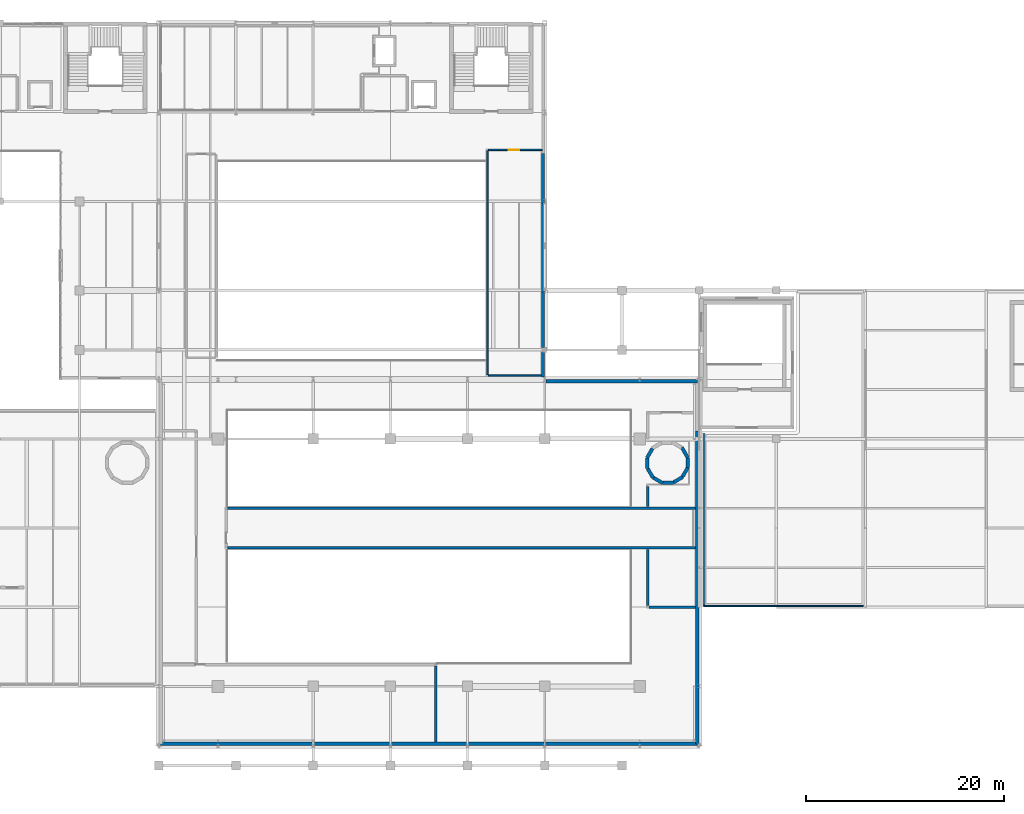
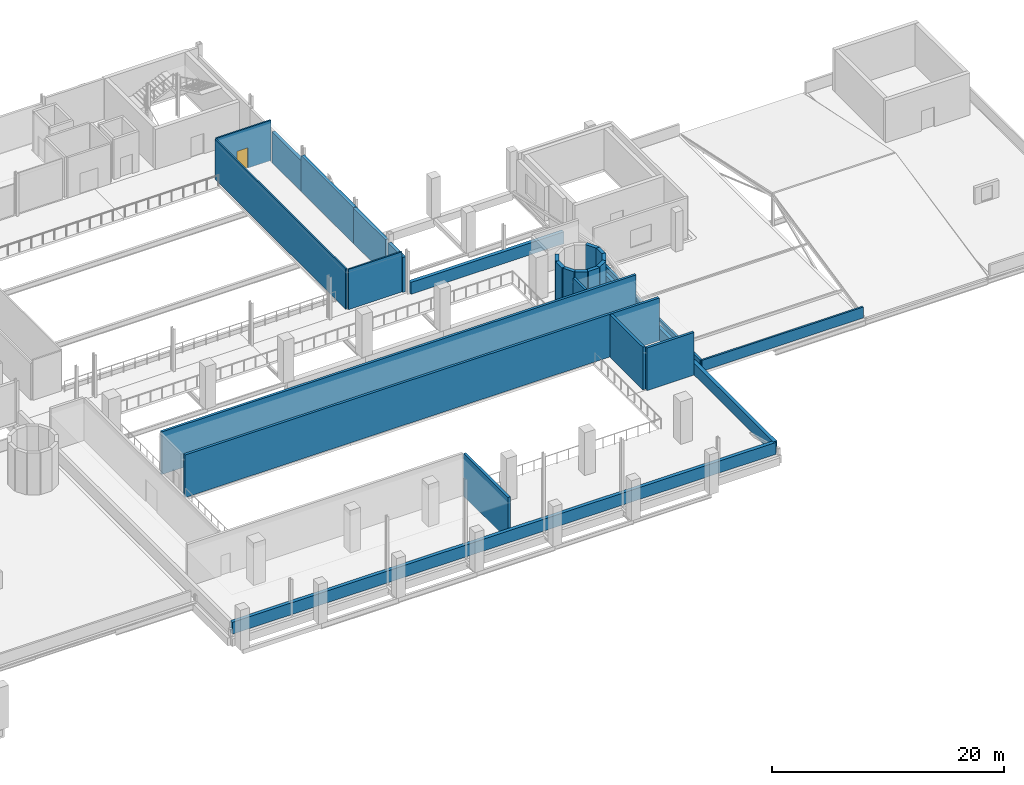
# One storey, part 76 of 85: 27 walls, 1 door, 1 opening.
"""IFC4 building model written with IfcOpenShell, lengths in metres."""

import ifcopenshell
import ifcopenshell.guid

model = None  # the IFC model being written
_history = None  # IfcOwnerHistory: only IFC2X3 demands one
_inside = {}  # id of a spatial element -> (the spatial element, [elements in it])
_under = {}  # id of a project, library or spatial element -> (it, [spatial elements below it])
_declared = {}  # id of a project -> (the project, [libraries it declares])
_typed = {}  # id of a type object -> (the type object, [elements of that type])
_made_of = {}  # id of a material, layer set ... -> (it, [elements and type objects made of it])


def new_model(schema):
    """Start an empty IFC model of exactly this schema.

    Asked for "IFC4X3", IfcOpenShell would pick the latest addendum, in which some entities
    have other attributes; the version numbers below select the first issue.
    IFC2X3 requires an IfcOwnerHistory on every rooted entity: one is made here for all.
    """
    global model, _history
    if schema == "IFC4X3":
        model = ifcopenshell.file(schema_version=(4, 3, 0, 0))
    else:
        model = ifcopenshell.file(schema=schema)
    _inside.clear()
    _under.clear()
    _declared.clear()
    _typed.clear()
    _made_of.clear()
    _history = None
    if model.schema == "IFC2X3":
        org = make("IfcOrganization", Name="unknown")
        user = make(
            "IfcPersonAndOrganization",
            ThePerson=make("IfcPerson", FamilyName="unknown"),
            TheOrganization=org,
        )
        app = make(
            "IfcApplication",
            ApplicationDeveloper=org,
            Version="unknown",
            ApplicationFullName="unknown",
            ApplicationIdentifier="unknown",
        )
        _history = make(
            "IfcOwnerHistory",
            OwningUser=user,
            OwningApplication=app,
            ChangeAction="ADDED",
            CreationDate=0,
        )
    return model


def make(cls, **values):
    """One entity of the class cls with the attributes given. An attribute that is None is left unset."""
    return model.create_entity(
        cls, **{name: value for name, value in values.items() if value is not None}
    )


def rooted(cls, **values):
    """An entity with a GlobalId (a new one), such as an element, a storey or a relation."""
    return make(cls, GlobalId=ifcopenshell.guid.new(), OwnerHistory=_history, **values)


def si_unit(unit_type, name, prefix=None):
    """IfcSIUnit, for example si_unit("LENGTHUNIT", "METRE", prefix="MILLI")."""
    return make("IfcSIUnit", UnitType=unit_type, Prefix=prefix, Name=name)


def derived_unit(unit_type, elements):
    """IfcDerivedUnit: a product of units, each with its exponent."""
    return make(
        "IfcDerivedUnit",
        Elements=[
            make("IfcDerivedUnitElement", Unit=unit, Exponent=power)
            for unit, power in elements
        ],
        UnitType=unit_type,
    )


def assignment(units):
    """IfcUnitAssignment: the units of a project."""
    return None if units is None else make("IfcUnitAssignment", Units=units)


def point(xyz):
    """IfcCartesianPoint."""
    return None if xyz is None else make("IfcCartesianPoint", Coordinates=xyz)


def direction(xyz):
    """IfcDirection."""
    return None if xyz is None else make("IfcDirection", DirectionRatios=xyz)


def frame(location, z_axis=None, x_axis=None):
    """IfcAxis2Placement3D, a coordinate frame: its origin and axes. An axis left out is left unset."""
    return make(
        "IfcAxis2Placement3D",
        Location=point(location),
        Axis=direction(z_axis),
        RefDirection=direction(x_axis),
    )


def frame_2d(location, x_axis=None):
    """IfcAxis2Placement2D, a coordinate frame in the plane: its origin and x axis."""
    return make(
        "IfcAxis2Placement2D", Location=point(location), RefDirection=direction(x_axis)
    )


def origin():
    """The frame at (0, 0, 0) with its axes left unset."""
    return frame((0.0, 0.0, 0.0))


def place(relative_to, where):
    """IfcLocalPlacement: puts the frame where relative to a parent placement (None: the world)."""
    return make(
        "IfcLocalPlacement", PlacementRelTo=relative_to, RelativePlacement=where
    )


def context(
    kind, dimensions, precision=None, world=None, true_north=None, identifier=None
):
    """IfcGeometricRepresentationContext, for example the 3D "Model" context."""
    return make(
        "IfcGeometricRepresentationContext",
        ContextIdentifier=identifier,
        ContextType=kind,
        CoordinateSpaceDimension=dimensions,
        Precision=precision,
        WorldCoordinateSystem=world,
        TrueNorth=true_north,
    )


def subcontext(parent, identifier, kind, view, scale=None):
    """IfcGeometricRepresentationSubContext, for example "Body" below "Model"."""
    return make(
        "IfcGeometricRepresentationSubContext",
        ContextIdentifier=identifier,
        ContextType=kind,
        ParentContext=parent,
        TargetScale=scale,
        TargetView=view,
    )


def project(units=None, contexts=None):
    """IfcProject with its units and contexts."""
    return rooted(
        "IfcProject",
        Name="project",
        RepresentationContexts=contexts,
        UnitsInContext=assignment(units),
    )


def spatial(cls, under=None, at=None, **own):
    """A site, building, storey or space (cls), placed at a placement, below another one or the project."""
    s = rooted(cls, ObjectPlacement=at, **own)
    if under is not None:
        _under.setdefault(under.id(), (under, []))[1].append(s)
    return s


def profile(cls, at=None, kind="AREA", **sizes):
    """A parametric profile (cls). Its sizes go by their IFC names, for example OverallWidth=200.0."""
    return make(cls, ProfileType=kind, Position=at, **sizes)


def rectangle(**sizes):
    """IfcRectangleProfileDef."""
    return profile("IfcRectangleProfileDef", **sizes)


def extrude(swept, where, along, depth):
    """IfcExtrudedAreaSolid: the profile swept, set in the frame where, extruded along a direction by depth."""
    return make(
        "IfcExtrudedAreaSolid",
        SweptArea=swept,
        Position=where,
        ExtrudedDirection=direction(along),
        Depth=depth,
    )


def shape(context_of_items, identifier, shape_type, items):
    """IfcShapeRepresentation: the items that make up one representation, for example the "Body"."""
    return make(
        "IfcShapeRepresentation",
        ContextOfItems=context_of_items,
        RepresentationIdentifier=identifier,
        RepresentationType=shape_type,
        Items=items,
    )


def material(Name=None, Category=None):
    """IfcMaterial."""
    return make("IfcMaterial", Name=Name, Category=Category)


def layer(
    of_material, thickness, ventilated=None, Name=None, Category=None, Priority=None
):
    """IfcMaterialLayer: one layer of a wall or slab, of a material (None: an air gap)."""
    return make(
        "IfcMaterialLayer",
        Material=of_material,
        LayerThickness=thickness,
        IsVentilated=ventilated,
        Name=Name,
        Category=Category,
        Priority=Priority,
    )


def layer_set(layers, Name=None):
    """IfcMaterialLayerSet."""
    return make("IfcMaterialLayerSet", MaterialLayers=layers, LayerSetName=Name)


def made_of(thing, what):
    """Note that an element or type object is made of a material, layer set ...; save() writes the relation."""
    if what is not None:
        _made_of.setdefault(what.id(), (what, []))[1].append(thing)
    return thing


def type_object(cls, material=None, **own):
    """A type object (cls), such as IfcWallType, which elements share."""
    return made_of(rooted(cls, **own), material)


def element(
    cls,
    number,
    at=None,
    inside=None,
    cuts=None,
    type_object=None,
    material=None,
    context=None,
    identifier="Body",
    shape_type=None,
    held_by="IfcProductDefinitionShape",
    body=None,
    shapes=None,
    **own,
):
    """One element of the class cls, such as IfcWall. Its Tag is "e" and its number.

    at: its placement. inside: the storey or other place that contains it. cuts: it is an
    opening in that element (IfcRelVoidsElement). A single representation is given by context,
    identifier, shape_type and body (its items); several are given by shapes. held_by: the class
    of the entity that holds the representations. save() writes the other relations.
    """
    e = rooted(cls, Tag="e%d" % number, ObjectPlacement=at, **own)
    if body is not None:
        shapes = [shape(context, identifier, shape_type, body)]
    if shapes is not None:
        e.Representation = make(held_by, Representations=shapes)
    if inside is not None:
        _inside.setdefault(inside.id(), (inside, []))[1].append(e)
    if cuts is not None:
        rooted(
            "IfcRelVoidsElement", RelatingBuildingElement=cuts, RelatedOpeningElement=e
        )
    if type_object is not None:
        _typed.setdefault(type_object.id(), (type_object, []))[1].append(e)
    return made_of(e, material)


def fill(opening, filler):
    """IfcRelFillsElement: the door or window that sits in an opening."""
    return rooted(
        "IfcRelFillsElement",
        RelatingOpeningElement=opening,
        RelatedBuildingElement=filler,
    )


def aggregate(whole, parts):
    """IfcRelAggregates: a whole, such as a stair, and the parts it consists of."""
    return rooted("IfcRelAggregates", RelatingObject=whole, RelatedObjects=parts)


def save(model, path):
    """Write the relations noted so far, then the file.

    IfcRelAggregates (storeys below a building ...), IfcRelContainedInSpatialStructure (elements
    in a storey), IfcRelDefinesByType, IfcRelAssociatesMaterial and IfcRelDeclares: one each for
    every whole, place, type object, material and project.
    """
    for whole, parts in _under.values():
        aggregate(whole, parts)
    for where, things in _inside.values():
        rooted(
            "IfcRelContainedInSpatialStructure",
            RelatedElements=things,
            RelatingStructure=where,
        )
    for kind, things in _typed.values():
        rooted("IfcRelDefinesByType", RelatedObjects=things, RelatingType=kind)
    for what, things in _made_of.values():
        rooted("IfcRelAssociatesMaterial", RelatedObjects=things, RelatingMaterial=what)
    for by, libraries in _declared.values():
        rooted("IfcRelDeclares", RelatingContext=by, RelatedDefinitions=libraries)
    model.write(path)


model = new_model("IFC4")

# Units and contexts
model_context = context("Model", 3, precision=1e-05, world=origin(), true_north=direction((0.0, 1.0)))
body_context = subcontext(model_context, "Body", "Model", "MODEL_VIEW")
ifc_project = project(units=[si_unit("LENGTHUNIT", "METRE"), si_unit("AREAUNIT", "SQUARE_METRE"), si_unit("VOLUMEUNIT", "CUBIC_METRE"), si_unit("PLANEANGLEUNIT", "RADIAN"), si_unit("MASSUNIT", "GRAM", prefix="KILO"), derived_unit("THERMALTRANSMITTANCEUNIT", [(si_unit("POWERUNIT", "WATT"), 1), (si_unit("LENGTHUNIT", "METRE"), -2), (si_unit("THERMODYNAMICTEMPERATUREUNIT", "KELVIN"), -1)])], contexts=[model_context])

# Site, building, storey
site_placement = place(None, origin())
site = spatial("IfcSite", under=ifc_project, at=site_placement, CompositionType="ELEMENT")
building_placement = place(site_placement, origin())
building = spatial("IfcBuilding", under=site, at=building_placement, Name="Nallur Shell Playhouse", CompositionType="ELEMENT")
storey_placement = place(building_placement, frame((0.0, 0.0, 19.800048828125)))
storey = spatial("IfcBuildingStorey", under=building, at=storey_placement, Name="L05", CompositionType="ELEMENT", Elevation=19.800048828125)

# Walls
ifc_material_1 = material(Name="Concrete M45", Category="concrete")
ifc_layer_1 = layer(ifc_material_1, 0.39990234375)
ifc_layer_set_1 = layer_set([ifc_layer_1], Name="Concrete M45")
wall_type_1 = type_object("IfcWallType", Name="WL-CORE-400", PredefinedType="SHEAR", material=ifc_layer_set_1)
wall_1_placement = place(storey_placement, frame((117.46142578125, 39.08642578125, 0.0), z_axis=(0.0, 0.0, 1.0), x_axis=(-0.500080723117, 0.865978793255, 0.0)))
element("IfcWall", 1, at=wall_1_placement, inside=storey, type_object=wall_type_1, Name="Metabolist service drum DR-2 facet 1 (L05)", PredefinedType="SHEAR", context=body_context, shape_type="SweptSolid", body=[
    extrude(rectangle(XDim=1.218994140625, YDim=0.35009765625, at=frame_2d((0.609375, 0.0))), origin(), (0.0, 0.0, 1.0), 4.5),
])
for number, where, z_axis, x_axis, name in (
    (2, (113.885009765625, 40.032958984375, 0.0), (0.0, 0.0, 1.0), (-0.499935162227, -0.866062834654, 0.0), "Metabolist service drum DR-2 facet 5 (L05)"),
    (3, (113.37158203125, 39.08349609375, 0.0), (0.0, 0.0, 1.0), (0.0, -1.0, 0.0), "Metabolist service drum DR-2 facet 6 (L05)"),
    (4, (113.401611328125, 38.00439453125, 0.0), (0.0, 0.0, 1.0), (0.499935162227, -0.866062834654, 0.0), "Metabolist service drum DR-2 facet 7 (L05)"),
    (5, (113.967041015625, 37.085205078125, 0.0), (0.0, 0.0, 1.0), (0.865966109163, -0.500102687236, 0.0), "Metabolist service drum DR-2 facet 8 (L05)"),
    (6, (114.91650390625, 36.571533203125, 0.0), (0.0, 0.0, 1.0), (1.0, 0.0, 0.0), "Metabolist service drum DR-2 facet 9 (L05)"),
    (7, (115.99560546875, 36.6015625, 0.0), (0.0, 0.0, 1.0), (0.865966109163, 0.500102687236, 0.0), "Metabolist service drum DR-2 facet 10 (L05)"),
    (8, (116.914794921875, 37.1669921875, 0.0), (0.0, 0.0, 1.0), (0.500102687236, 0.865966109163, 0.0), "Metabolist service drum DR-2 facet 11 (L05)"),
):
    element("IfcWall", number, at=place(storey_placement, frame(where, z_axis=z_axis, x_axis=x_axis)), inside=storey, type_object=wall_type_1, Name=name, PredefinedType="SHEAR", context=body_context, shape_type="SweptSolid", body=[
        extrude(rectangle(XDim=1.093017578125, YDim=0.35009765625, at=frame_2d((0.54638671875, 0.0))), origin(), (0.0, 0.0, 1.0), 4.5),
    ])
wall_2_placement = place(storey_placement, frame((117.428466796875, 38.116455078125, 0.0), z_axis=(0.0, 0.0, 1.0), x_axis=(0.0, 1.0, 0.0)))
element("IfcWall", 9, at=wall_2_placement, inside=storey, type_object=wall_type_1, Name="Metabolist service drum DR-2 facet 12 (L05)", PredefinedType="SHEAR", context=body_context, shape_type="SweptSolid", body=[
    extrude(rectangle(XDim=0.967041015625, YDim=0.35009765625, at=frame_2d((0.4833984375, 0.0))), origin(), (0.0, 0.0, 1.0), 4.5),
])
ifc_material_2 = material(Name="Concrete M35", Category="concrete")
ifc_layer_2 = layer(ifc_material_2, 0.35009765625)
ifc_layer_set_2 = layer_set([ifc_layer_2], Name="Concrete M35")
wall_type_2 = type_object("IfcWallType", Name="WL-EXT-AC350", PredefinedType="STANDARD", material=ifc_layer_set_2)
wall_3_placement = place(storey_placement, frame((103.12890625, 46.804931640625, 0.0), z_axis=(0.0, 0.0, 1.0), x_axis=(1.0, 0.0, 0.0)))
element("IfcWall", 10, at=wall_3_placement, inside=storey, type_object=wall_type_2, Name="L05 exterior wall EW-L05-217", PredefinedType="STANDARD", context=body_context, shape_type="SweptSolid", body=[
    extrude(rectangle(XDim=15.2861328125, YDim=0.35009765625, at=frame_2d((7.64306640625, 0.0))), origin(), (0.0, 0.0, 1.0), 1.25),
])
wall_4_placement = place(storey_placement, frame((118.405029296875, 41.81494140625, 0.0), z_axis=(0.0, 0.0, 1.0), x_axis=(0.0, -1.0, 0.0)))
element("IfcWall", 11, at=wall_4_placement, inside=storey, type_object=wall_type_2, Name="L05 exterior wall EW-L05-223", PredefinedType="STANDARD", context=body_context, shape_type="SweptSolid", body=[
    extrude(rectangle(XDim=31.6298828125, YDim=0.35009765625, at=frame_2d((15.81494140625, 0.0))), origin(), (0.0, 0.0, 1.0), 1.25),
])
wall_5_placement = place(storey_placement, frame((118.4150390625, 10.195068359375, 0.0), z_axis=(0.0, 0.0, 1.0), x_axis=(-1.0, 0.0, 0.0)))
element("IfcWall", 12, at=wall_5_placement, inside=storey, type_object=wall_type_2, Name="L05 exterior wall EW-L05-224", PredefinedType="STANDARD", context=body_context, shape_type="SweptSolid", body=[
    extrude(rectangle(XDim=54.22998046875, YDim=0.35009765625, at=frame_2d((27.114990234375, 0.0))), origin(), (0.0, 0.0, 1.0), 1.25),
])
ifc_layer_3 = layer(ifc_material_2, 0.320068359375)
ifc_layer_set_3 = layer_set([ifc_layer_3], Name="Concrete M35")
wall_type_3 = type_object("IfcWallType", Name="WL-EXT-RC320", PredefinedType="STANDARD", material=ifc_layer_set_3)
wall_6_placement = place(storey_placement, frame((102.820068359375, 69.830078125, 0.0), z_axis=(0.0, 0.0, 1.0), x_axis=(0.0, -1.0, 0.0)))
element("IfcWall", 13, at=wall_6_placement, inside=storey, type_object=wall_type_3, Name="L05 exterior wall EW-L05-213", PredefinedType="STANDARD", context=body_context, shape_type="SweptSolid", body=[
    extrude(rectangle(XDim=5.06298828125, YDim=0.320068359375, at=frame_2d((2.531494140625, 0.0))), origin(), (0.0, 0.0, 1.0), 3.23486328125),
])
wall_7_placement = place(storey_placement, frame((102.820068359375, 64.76708984375, 0.0), z_axis=(0.0, 0.0, 1.0), x_axis=(0.0, -1.0, 0.0)))
element("IfcWall", 14, at=wall_7_placement, inside=storey, type_object=wall_type_3, Name="L05 exterior wall EW-L05-214", PredefinedType="STANDARD", context=body_context, shape_type="SweptSolid", body=[
    extrude(rectangle(XDim=9.0, YDim=0.320068359375, at=frame_2d((4.5, 0.0))), origin(), (0.0, 0.0, 1.0), 3.784912109375),
])
wall_8_placement = place(storey_placement, frame((102.820068359375, 55.76708984375, 0.0), z_axis=(0.0, 0.0, 1.0), x_axis=(0.0, -1.0, 0.0)))
element("IfcWall", 15, at=wall_8_placement, inside=storey, type_object=wall_type_3, Name="L05 exterior wall EW-L05-215", PredefinedType="STANDARD", context=body_context, shape_type="SweptSolid", body=[
    extrude(rectangle(XDim=5.5341796875, YDim=0.320068359375, at=frame_2d((2.76708984375, 0.0))), origin(), (0.0, 0.0, 1.0), 3.73486328125),
])
wall_9_placement = place(storey_placement, frame((102.820068359375, 49.76708984375, 0.0), z_axis=(0.0, 0.0, 1.0), x_axis=(0.0, -1.0, 0.0)))
element("IfcWall", 16, at=wall_9_placement, inside=storey, type_object=wall_type_3, Name="L05 exterior wall EW-L05-216", PredefinedType="STANDARD", context=body_context, shape_type="SweptSolid", body=[
    extrude(rectangle(XDim=2.5341796875, YDim=0.320068359375, at=frame_2d((1.26708984375, 0.0))), origin(), (0.0, 0.0, 1.0), 3.68505859375),
])
ifc_layer_4 = layer(ifc_material_2, 0.179931640625)
ifc_layer_set_4 = layer_set([ifc_layer_4], Name="Concrete M35")
wall_type_4 = type_object("IfcWallType", Name="WL-PARAPET-180", PredefinedType="PARAPET", material=ifc_layer_set_4)
wall_10_placement = place(storey_placement, frame((135.199951171875, 24.110107421875, 0.0), z_axis=(0.0, 0.0, 1.0), x_axis=(-1.0, 0.0, 0.0)))
element("IfcWall", 17, at=wall_10_placement, inside=storey, type_object=wall_type_4, Name="L05 concrete roof parapet PAR-027", PredefinedType="PARAPET", context=body_context, shape_type="SweptSolid", body=[
    extrude(rectangle(XDim=16.119873046875, YDim=0.179931640625, at=frame_2d((8.06005859375, 0.0))), origin(), (0.0, 0.0, 1.0), 1.14990234375),
])
ifc_layer_5 = layer(ifc_material_2, 0.219970703125)
ifc_layer_set_5 = layer_set([ifc_layer_5], Name="Concrete M35")
wall_type_5 = type_object("IfcWallType", Name="WL-PARAPET-220", PredefinedType="PARAPET", material=ifc_layer_set_5)
wall_11_placement = place(storey_placement, frame((119.080078125, 24.14990234375, 0.0), z_axis=(0.0, 0.0, 1.0), x_axis=(0.0, 1.0, 0.0)))
element("IfcWall", 18, at=wall_11_placement, inside=storey, type_object=wall_type_5, Name="L05 concrete roof parapet PAR-028", PredefinedType="PARAPET", context=body_context, shape_type="SweptSolid", body=[
    extrude(rectangle(XDim=17.400146484375, YDim=0.219970703125, at=frame_2d((8.7001953125, 0.0))), origin(), (0.0, 0.0, 1.0), 1.14990234375),
])
ifc_material_3 = material(Name="Concrete M30", Category="concrete")
ifc_layer_6 = layer(ifc_material_3, 0.25)
ifc_layer_set_6 = layer_set([ifc_layer_6], Name="Concrete M30")
wall_type_6 = type_object("IfcWallType", Name="WL-PART-AC250", PredefinedType="PARTITIONING", material=ifc_layer_set_6)
for number, where, z_axis, x_axis, name in (
    (19, (70.945068359375, 34.0, 0.0), (0.0, 0.0, 1.0), (1.0, 0.0, 0.0), "Main Theatre Acoustic Ceiling & Front-of-House Lighting Bridge partition IW-L05-0348"),
    (20, (118.22607421875, 30.0, 0.0), (0.0, 0.0, 1.0), (-1.0, 0.0, 0.0), "Main Theatre Acoustic Ceiling & Front-of-House Lighting Bridge partition IW-L05-0349"),
):
    element("IfcWall", number, at=place(storey_placement, frame(where, z_axis=z_axis, x_axis=x_axis)), inside=storey, type_object=wall_type_6, Name=name, PredefinedType="PARTITIONING", context=body_context, shape_type="SweptSolid", body=[
        extrude(rectangle(XDim=47.281005859375, YDim=0.25, at=frame_2d((23.640625, 0.0))), origin(), (0.0, 0.0, 1.0), 4.5),
    ])
wall_12_placement = place(storey_placement, frame((118.22607421875, 24.0, 0.0), z_axis=(0.0, 0.0, 1.0), x_axis=(-1.0, 0.0, 0.0)))
element("IfcWall", 21, at=wall_12_placement, inside=storey, type_object=wall_type_6, Name="Main Theatre East Followspot & Acoustic Reflector Gallery partition IW-L05-0353", PredefinedType="PARTITIONING", context=body_context, shape_type="SweptSolid", body=[
    extrude(rectangle(XDim=4.68115234375, YDim=0.25, at=frame_2d((2.340576171875, 0.0))), origin(), (0.0, 0.0, 1.0), 4.5),
])
wall_13_placement = place(storey_placement, frame((113.39990234375, 24.14501953125, 0.0), z_axis=(0.0, 0.0, 1.0), x_axis=(0.0, 1.0, 0.0)))
element("IfcWall", 22, at=wall_13_placement, inside=storey, type_object=wall_type_6, Name="Main Theatre East Followspot & Acoustic Reflector Gallery partition IW-L05-0354", PredefinedType="PARTITIONING", context=body_context, shape_type="SweptSolid", body=[
    extrude(rectangle(XDim=5.679931640625, YDim=0.25, at=frame_2d((2.83984375, 0.0))), origin(), (0.0, 0.0, 1.0), 4.5),
])
wall_14_placement = place(storey_placement, frame((113.39990234375, 34.175048828125, 0.0), z_axis=(0.0, 0.0, 1.0), x_axis=(0.0, 1.0, 0.0)))
element("IfcWall", 23, at=wall_14_placement, inside=storey, type_object=wall_type_6, Name="Main Theatre East Followspot & Acoustic Reflector Gallery partition IW-L05-0355", PredefinedType="PARTITIONING", context=body_context, shape_type="SweptSolid", body=[
    extrude(rectangle(XDim=2.030029296875, YDim=0.25, at=frame_2d((1.01513671875, 0.0))), origin(), (0.0, 0.0, 1.0), 4.5),
])
wall_15_placement = place(storey_placement, frame((92.0, 18.054931640625, 0.0), z_axis=(0.0, 0.0, 1.0), x_axis=(0.0, -1.0, 0.0)))
element("IfcWall", 24, at=wall_15_placement, inside=storey, type_object=wall_type_6, Name="Main Auditorium Displacement Supply AHU Plant partition IW-L05-0378", PredefinedType="PARTITIONING", context=body_context, shape_type="SweptSolid", body=[
    extrude(rectangle(XDim=7.680908203125, YDim=0.25, at=frame_2d((3.84033203125, 0.0))), origin(), (0.0, 0.0, 1.0), 4.5),
])

# Wall, opening, door
ifc_material_4 = material(Name="Concrete M25 Fire Blockwork", Category="masonry")
ifc_layer_7 = layer(ifc_material_4, 0.14990234375)
ifc_layer_set_7 = layer_set([ifc_layer_7], Name="Concrete M25 Fire Blockwork")
wall_type_7 = type_object("IfcWallType", Name="WL-PART-FR150", PredefinedType="PARTITIONING", material=ifc_layer_set_7)
wall_16_placement = place(storey_placement, frame((97.294921875, 70.199951171875, 0.0), z_axis=(0.0, 0.0, 1.0), x_axis=(1.0, 0.0, 0.0)))
wall_16 = element("IfcWall", 25, at=wall_16_placement, inside=storey, type_object=wall_type_7, Name="Repertoire Prop & Mask Archive partition IW-L05-0370", PredefinedType="PARTITIONING", context=body_context, shape_type="SweptSolid", body=[
    extrude(rectangle(XDim=5.441162109375, YDim=0.14990234375, at=frame_2d((2.720703125, 0.0))), origin(), (0.0, 0.0, 1.0), 4.239990234375),
])
opening_placement = place(wall_16_placement, frame((2.080078125, 0.0, 0.0)))
opening = element("IfcOpeningElement", 26, at=opening_placement, cuts=wall_16, Name="Opening ID-02", PredefinedType="OPENING", context=body_context, shape_type="SweptSolid", body=[
    extrude(rectangle(XDim=1.050048828125, YDim=2.14990234375, at=frame_2d((0.52490234375, 1.074951171875))), frame((0.0, 0.0849609375, 0.0), z_axis=(0.0, -1.0, 0.0), x_axis=(1.0, 0.0, 0.0)), (0.0, 0.0, 1.0), 0.169921875),
])
ifc_material_5 = material(Name="Solid-Core Engineered Timber Fire Door", Category="wood")
door_type = type_object("IfcDoorType", Name="DR-INT-SGL1050R", OperationType="SINGLE_SWING_RIGHT", PredefinedType="DOOR", material=ifc_material_5)
door_placement = place(opening_placement, origin())
door = element("IfcDoor", 27, at=door_placement, inside=storey, type_object=door_type, Name="Repertoire Prop & Mask Archive door 1", OperationType="SINGLE_SWING_RIGHT", OverallHeight=2.14990234375, OverallWidth=1.050048828125, PredefinedType="DOOR", context=body_context, shape_type="SweptSolid", body=[
    extrude(rectangle(XDim=1.050048828125, YDim=2.14990234375, at=frame_2d((0.52490234375, 1.074951171875))), frame((0.0, 0.02490234375, 0.0), z_axis=(0.0, -1.0, 0.0), x_axis=(1.0, 0.0, 0.0)), (0.0, 0.0, 1.0), 0.050048828125),
])
fill(opening, door)

# Walls
wall_17_placement = place(storey_placement, frame((102.656005859375, 47.39990234375, 0.0), z_axis=(0.0, 0.0, 1.0), x_axis=(-1.0, 0.0, 0.0)))
element("IfcWall", 28, at=wall_17_placement, inside=storey, type_object=wall_type_7, Name="Repertoire Prop & Mask Archive partition IW-L05-0371", PredefinedType="PARTITIONING", context=body_context, shape_type="SweptSolid", body=[
    extrude(rectangle(XDim=5.361083984375, YDim=0.14990234375, at=frame_2d((2.6806640625, 0.0))), origin(), (0.0, 0.0, 1.0), 4.239990234375),
])
wall_18_placement = place(storey_placement, frame((97.199951171875, 47.4951171875, 0.0), z_axis=(0.0, 0.0, 1.0), x_axis=(0.0, 1.0, 0.0)))
element("IfcWall", 29, at=wall_18_placement, inside=storey, type_object=wall_type_7, Name="Repertoire Prop & Mask Archive partition IW-L05-0372", PredefinedType="PARTITIONING", context=body_context, shape_type="SweptSolid", body=[
    extrude(rectangle(XDim=22.60986328125, YDim=0.14990234375, at=frame_2d((11.304931640625, 0.0))), origin(), (0.0, 0.0, 1.0), 4.239990234375),
])

save(model, "model.ifc")
